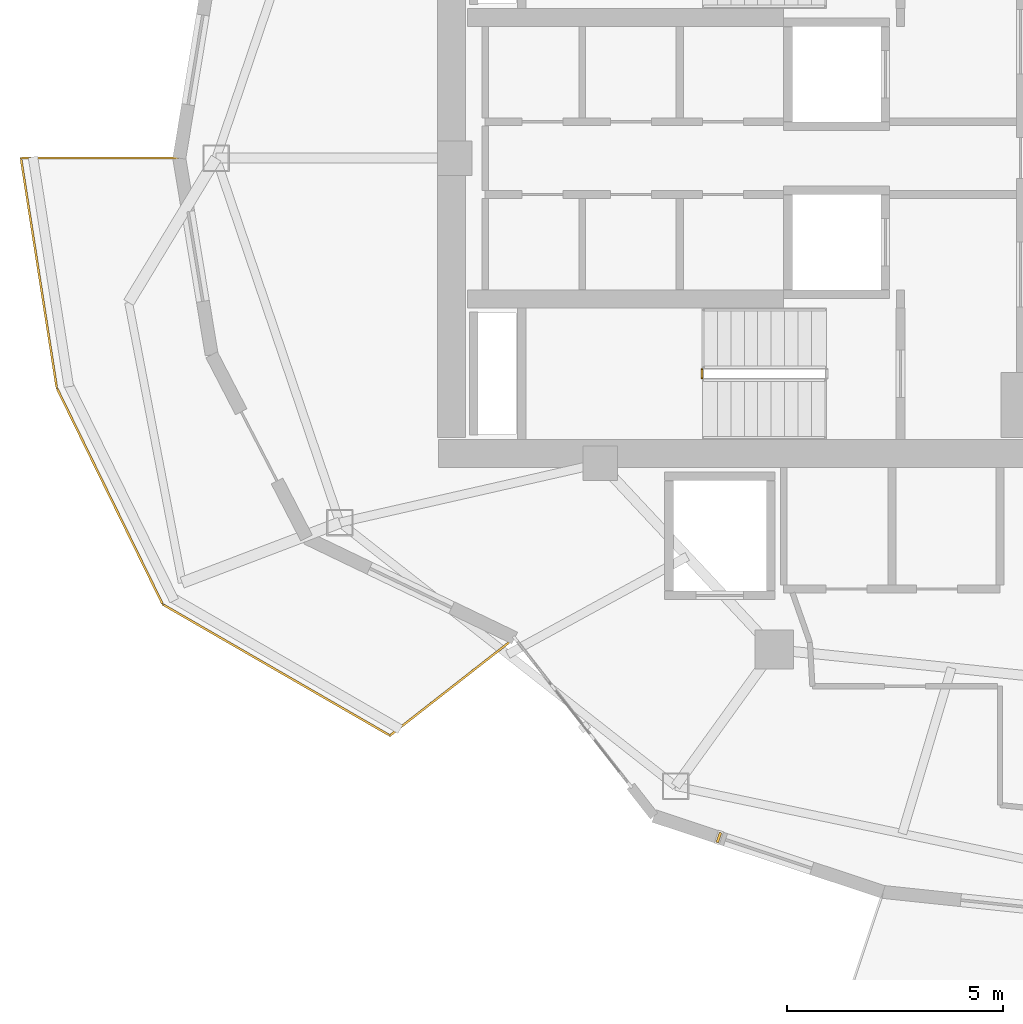
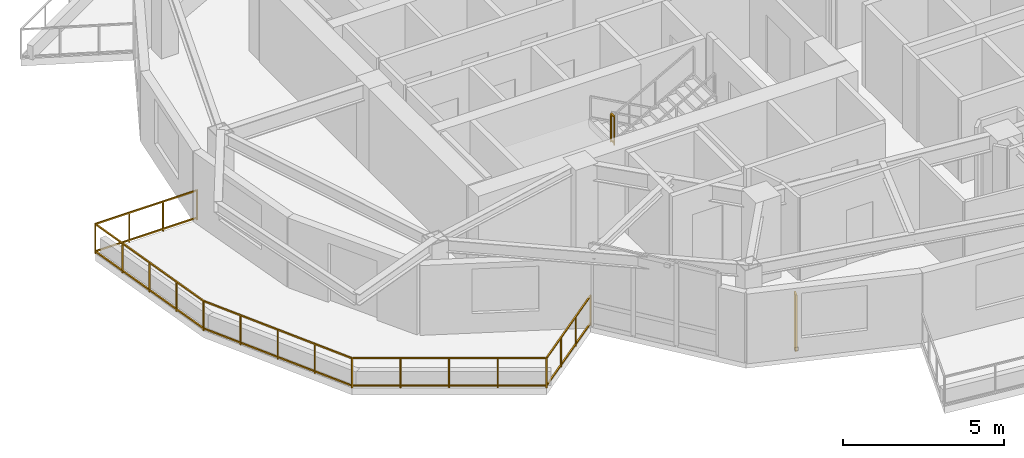
# One storey, part 15 of 19: 2 railings, 1 shading device.
"""IFC4 building model written with IfcOpenShell, lengths in metres."""

from ifc_helpers import new_model, si_unit, direction, frame, origin, origin_2d, place, context, subcontext, project, spatial, rectangle, extrude, material, type_object, element, save


model = new_model("IFC4")

# Units and contexts
model_context = context("Model", 3, precision=1e-05, world=origin(), true_north=direction((0.0, 1.0)))
body_context = subcontext(model_context, "Body", "Model", "MODEL_VIEW")
ifc_project = project(units=[si_unit("LENGTHUNIT", "METRE"), si_unit("AREAUNIT", "SQUARE_METRE"), si_unit("VOLUMEUNIT", "CUBIC_METRE"), si_unit("PLANEANGLEUNIT", "RADIAN"), si_unit("MASSUNIT", "GRAM", prefix="KILO")], contexts=[model_context])

# Site, building, storey
site_placement = place(None, origin())
site = spatial("IfcSite", under=ifc_project, at=site_placement, CompositionType="ELEMENT")
building_placement = place(site_placement, origin())
building = spatial("IfcBuilding", under=site, at=building_placement, Name="Kolvaren Gate Tower and Convention Centre", CompositionType="ELEMENT")
storey_placement = place(building_placement, frame((0.0, 0.0, 169.89990234375)))
storey = spatial("IfcBuildingStorey", under=building, at=storey_placement, Name="L44", CompositionType="ELEMENT", Elevation=169.89990234375)

# Railings
ifc_material_1 = material(Name="Brushed Stainless Steel Grade 316L", Category="steel")
railing_type = type_object("IfcRailingType", Name="ARCH-RL-GUARD-1150", PredefinedType="GUARDRAIL", material=ifc_material_1)
railing_1_placement = place(storey_placement, frame((20.260009765625, 22.1201171875, 1.7001953125)))
element("IfcRailing", 1, at=railing_1_placement, inside=storey, type_object=railing_type, Name="L44 ST-T2 stair guard 2", PredefinedType="GUARDRAIL", context=body_context, shape_type="SweptSolid", body=[
    extrude(rectangle(XDim=0.048095703125, YDim=0.048095703125, at=origin_2d()), frame((0.0, 0.0, 1.076171875), z_axis=(0.0, -1.0, 0.0), x_axis=(1.0, 0.0, 0.0)), (0.0, 0.0, 1.0), 0.2001953125),
    extrude(rectangle(XDim=0.048095703125, YDim=0.048095703125, at=origin_2d()), frame((0.0, 0.0, 0.083984375), z_axis=(0.0, -1.0, 0.0), x_axis=(1.0, 0.0, 0.0)), (0.0, 0.0, 1.0), 0.2001953125),
    extrude(rectangle(XDim=0.0419921875, YDim=0.0419921875, at=origin_2d()), origin(), (0.0, 0.0, 1.0), 1.050048828125),
    extrude(rectangle(XDim=0.0419921875, YDim=0.0419921875, at=origin_2d()), frame((0.0, -0.2001953125, 0.0)), (0.0, 0.0, 1.0), 1.050048828125),
])
railing_2_placement = place(storey_placement, frame((8.1875, 27.0, 0.0)))
element("IfcRailing", 2, at=railing_2_placement, inside=storey, type_object=railing_type, Name="Tower L44 Terrace Perimeter Guardrail GR-2", PredefinedType="GUARDRAIL", context=body_context, shape_type="SweptSolid", body=[
    extrude(rectangle(XDim=0.048095703125, YDim=0.048095703125, at=origin_2d()), frame((-0.028076171875, 0.0, 1.1259765625), z_axis=(-1.0, 0.0, 0.0), x_axis=(0.0, -1.0, 0.0)), (0.0, 0.0, 1.0), 3.603759765625),
    extrude(rectangle(XDim=0.048095703125, YDim=0.048095703125, at=origin_2d()), frame((-0.028076171875, 0.0, 0.083984375), z_axis=(-1.0, 0.0, 0.0), x_axis=(0.0, -1.0, 0.0)), (0.0, 0.0, 1.0), 3.603759765625),
    extrude(rectangle(XDim=0.048095703125, YDim=0.048095703125, at=origin_2d()), frame((-3.655517578125, -0.02783203125, 1.1259765625), z_axis=(0.154200861408, -0.988039520637, 0.0), x_axis=(0.988039520637, 0.154200861408, 0.0)), (0.0, 0.0, 1.0), 5.3173828125),
    extrude(rectangle(XDim=0.048095703125, YDim=0.048095703125, at=origin_2d()), frame((-3.655517578125, -0.02783203125, 0.083984375), z_axis=(0.154200861408, -0.988039520637, 0.0), x_axis=(0.988039520637, 0.154200861408, 0.0)), (0.0, 0.0, 1.0), 5.3173828125),
    extrude(rectangle(XDim=0.048095703125, YDim=0.048095703125, at=origin_2d()), frame((-2.81884765625, -5.33447265625, 1.1259765625), z_axis=(0.439655234701, -0.898166618507, 0.0), x_axis=(0.898166618507, 0.439655234701, 0.0)), (0.0, 0.0, 1.0), 5.51123046875),
    extrude(rectangle(XDim=0.048095703125, YDim=0.048095703125, at=origin_2d()), frame((-2.81884765625, -5.33447265625, 0.083984375), z_axis=(0.439655234701, -0.898166618507, 0.0), x_axis=(0.898166618507, 0.439655234701, 0.0)), (0.0, 0.0, 1.0), 5.51123046875),
    extrude(rectangle(XDim=0.048095703125, YDim=0.048095703125, at=origin_2d()), frame((-0.359375, -10.32373046875, 1.1259765625), z_axis=(0.866075571306, -0.499913097234, 0.0), x_axis=(0.499913097234, 0.866075571306, 0.0)), (0.0, 0.0, 1.0), 6.004150390625),
    extrude(rectangle(XDim=0.048095703125, YDim=0.048095703125, at=origin_2d()), frame((-0.359375, -10.32373046875, 0.083984375), z_axis=(0.866075571306, -0.499913097234, 0.0), x_axis=(0.499913097234, 0.866075571306, 0.0)), (0.0, 0.0, 1.0), 6.004150390625),
    extrude(rectangle(XDim=0.048095703125, YDim=0.048095703125, at=origin_2d()), frame((4.88720703125, -13.322021484375, 1.1259765625), z_axis=(0.787988976981, 0.61568934712, 0.0), x_axis=(-0.61568934712, 0.787988976981, 0.0)), (0.0, 0.0, 1.0), 3.60400390625),
    extrude(rectangle(XDim=0.048095703125, YDim=0.048095703125, at=origin_2d()), frame((4.88720703125, -13.322021484375, 0.083984375), z_axis=(0.787988976981, 0.61568934712, 0.0), x_axis=(-0.61568934712, 0.787988976981, 0.0)), (0.0, 0.0, 1.0), 3.60400390625),
    extrude(rectangle(XDim=0.0419921875, YDim=0.0419921875, at=origin_2d()), origin(), (0.0, 0.0, 1.0), 1.14990234375),
    extrude(rectangle(XDim=0.0419921875, YDim=0.0419921875, at=origin_2d()), frame((-3.659912109375, 0.0, 0.0)), (0.0, 0.0, 1.0), 1.14990234375),
    extrude(rectangle(XDim=0.0419921875, YDim=0.0419921875, at=origin_2d()), frame((-1.219970703125, 0.0, 0.0)), (0.0, 0.0, 1.0), 1.099853515625),
    extrude(rectangle(XDim=0.0419921875, YDim=0.0419921875, at=origin_2d()), frame((-2.43994140625, 0.0, 0.0)), (0.0, 0.0, 1.0), 1.099853515625),
    extrude(rectangle(XDim=0.0419921875, YDim=0.0419921875, at=origin_2d()), frame((-2.831298828125, -5.309326171875, 0.0)), (0.0, 0.0, 1.0), 1.14990234375),
    extrude(rectangle(XDim=0.0419921875, YDim=0.0419921875, at=origin_2d()), frame((-3.45263671875, -1.327392578125, 0.0)), (0.0, 0.0, 1.0), 1.099853515625),
    extrude(rectangle(XDim=0.0419921875, YDim=0.0419921875, at=origin_2d()), frame((-3.24560546875, -2.65478515625, 0.0)), (0.0, 0.0, 1.0), 1.099853515625),
    extrude(rectangle(XDim=0.0419921875, YDim=0.0419921875, at=origin_2d()), frame((-3.03857421875, -3.98193359375, 0.0)), (0.0, 0.0, 1.0), 1.099853515625),
    extrude(rectangle(XDim=0.0419921875, YDim=0.0419921875, at=origin_2d()), frame((-0.383544921875, -10.309814453125, 0.0)), (0.0, 0.0, 1.0), 1.14990234375),
    extrude(rectangle(XDim=0.0419921875, YDim=0.0419921875, at=origin_2d()), frame((-2.21923828125, -6.5595703125, 0.0)), (0.0, 0.0, 1.0), 1.099853515625),
    extrude(rectangle(XDim=0.0419921875, YDim=0.0419921875, at=origin_2d()), frame((-1.607421875, -7.8095703125, 0.0)), (0.0, 0.0, 1.0), 1.099853515625),
    extrude(rectangle(XDim=0.0419921875, YDim=0.0419921875, at=origin_2d()), frame((-0.99560546875, -9.0595703125, 0.0)), (0.0, 0.0, 1.0), 1.099853515625),
    extrude(rectangle(XDim=0.0419921875, YDim=0.0419921875, at=origin_2d()), frame((4.864990234375, -13.33935546875, 0.0)), (0.0, 0.0, 1.0), 1.14990234375),
    extrude(rectangle(XDim=0.0419921875, YDim=0.0419921875, at=origin_2d()), frame((0.9287109375, -11.067138671875, 0.0)), (0.0, 0.0, 1.0), 1.099853515625),
    extrude(rectangle(XDim=0.0419921875, YDim=0.0419921875, at=origin_2d()), frame((2.24072265625, -11.82470703125, 0.0)), (0.0, 0.0, 1.0), 1.099853515625),
    extrude(rectangle(XDim=0.0419921875, YDim=0.0419921875, at=origin_2d()), frame((3.552734375, -12.58203125, 0.0)), (0.0, 0.0, 1.0), 1.099853515625),
    extrude(rectangle(XDim=0.0419921875, YDim=0.0419921875, at=origin_2d()), frame((7.7490234375, -11.0859375, 0.0)), (0.0, 0.0, 1.0), 1.14990234375),
    extrude(rectangle(XDim=0.0419921875, YDim=0.0419921875, at=origin_2d()), frame((5.826416015625, -12.588134765625, 0.0)), (0.0, 0.0, 1.0), 1.099853515625),
    extrude(rectangle(XDim=0.0419921875, YDim=0.0419921875, at=origin_2d()), frame((6.78759765625, -11.837158203125, 0.0)), (0.0, 0.0, 1.0), 1.099853515625),
])

# Shading device
ifc_material_2 = material(Name="Kiln-Fired Bogota Terracotta Ceramic Louvre Profile", Category="masonry")
shading_device_type = type_object("IfcShadingDeviceType", Name="ARCH-SHD-FIN-180", PredefinedType="JALOUSIE", material=ifc_material_2)
shading_device_placement = place(storey_placement, frame((20.6533203125, 11.30517578125, 0.22021484375), z_axis=(0.0, 0.0, 1.0), x_axis=(0.949239532616, -0.314554144335, 0.0)))
element("IfcShadingDevice", 3, at=shading_device_placement, inside=storey, type_object=shading_device_type, Name="Ceramic Vertical Brise-Soleil Fin FN-L44-16", PredefinedType="JALOUSIE", context=body_context, shape_type="SweptSolid", body=[
    extrude(rectangle(XDim=0.06005859375, YDim=0.239990234375, at=origin_2d()), origin(), (0.0, 0.0, 1.0), 2.14990234375),
])

save(model, "model.ifc")
